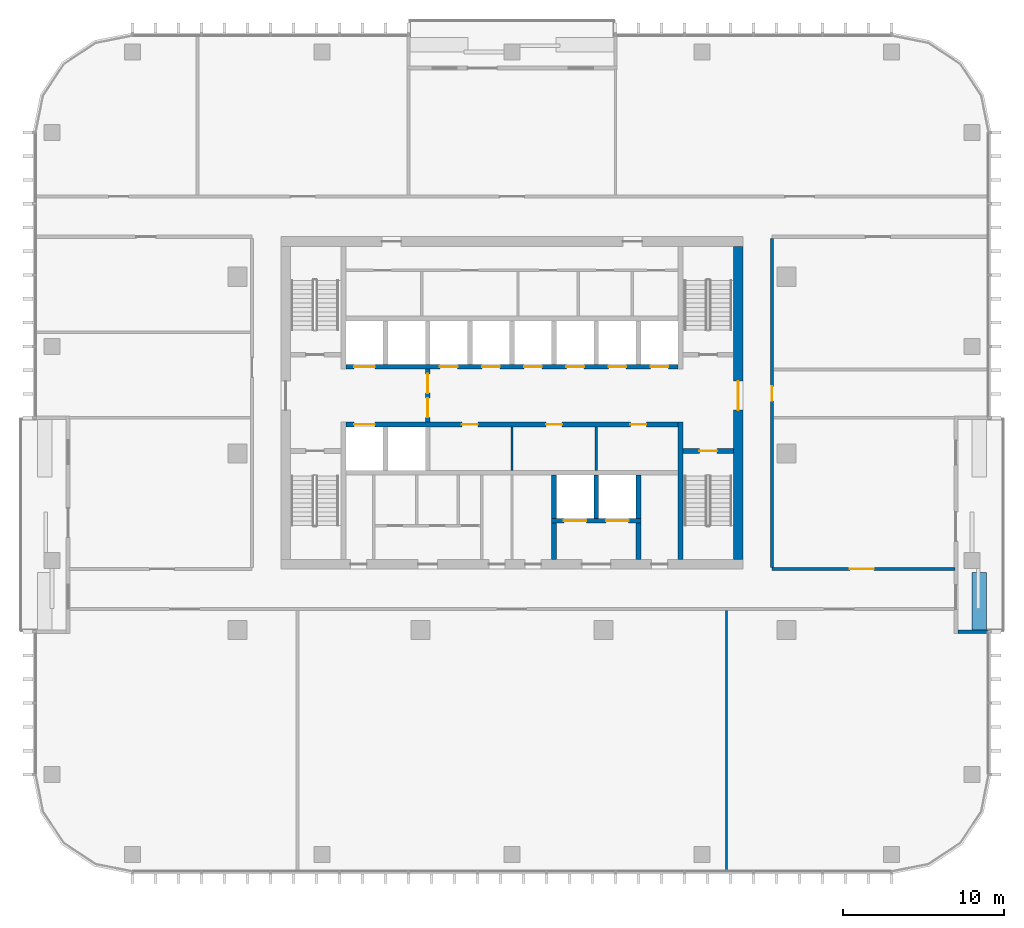
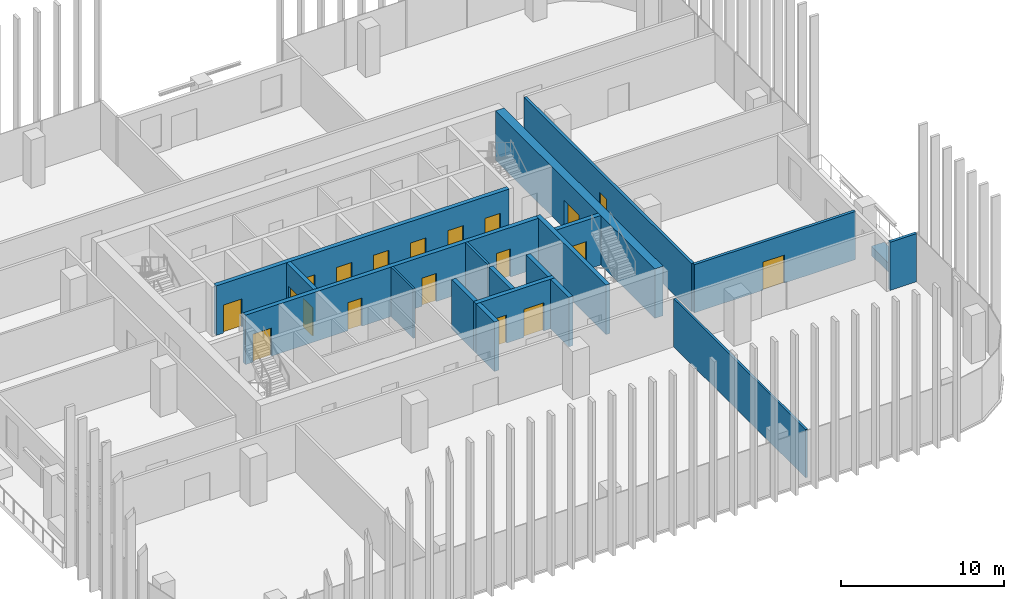
# One storey, part 8 of 16: 19 doors, 19 walls, 19 openings.
"""IFC4 building model written with IfcOpenShell, lengths in metres."""

from ifc_helpers import new_model, si_unit, direction, frame, frame_2d, origin, place, context, subcontext, project, spatial, rectangle, extrude, material, layer, layer_set, type_object, element, fill, save


model = new_model("IFC4")

# Units and contexts
model_context = context("Model", 3, precision=1e-05, world=origin(), true_north=direction((0.0, 1.0)))
body_context = subcontext(model_context, "Body", "Model", "MODEL_VIEW")
ifc_project = project(units=[si_unit("LENGTHUNIT", "METRE"), si_unit("AREAUNIT", "SQUARE_METRE"), si_unit("VOLUMEUNIT", "CUBIC_METRE"), si_unit("PLANEANGLEUNIT", "RADIAN"), si_unit("MASSUNIT", "GRAM", prefix="KILO")], contexts=[model_context])

# Site, building, storey
site_placement = place(None, origin())
site = spatial("IfcSite", under=ifc_project, at=site_placement, CompositionType="ELEMENT")
building_placement = place(site_placement, origin())
building = spatial("IfcBuilding", under=site, at=building_placement, Name="Mopane Tessera Tower", CompositionType="ELEMENT")
storey_placement = place(building_placement, frame((0.0, 0.0, 267.39990234375)))
storey = spatial("IfcBuildingStorey", under=building, at=storey_placement, Name="L57", CompositionType="ELEMENT", Elevation=267.39990234375)

# Walls
ifc_material_1 = material(Name="Fire-rated gypsum board partition")
ifc_layer_1 = layer(ifc_material_1, 0.14990234375)
ifc_layer_set_1 = layer_set([ifc_layer_1], Name="Fire-rated gypsum board partition")
wall_type_1 = type_object("IfcWallType", Name="Core room partition 150 mm", PredefinedType="PARTITIONING", material=ifc_layer_set_1)
for number, where, z_axis, x_axis, name in (
    (1, (0.0, -1.050048828125, 0.0), (0.0, 0.0, 1.0), (0.0, 1.0, 0.0), "L57 Room partition"),
    (2, (5.25, -1.050048828125, 0.0), (0.0, 0.0, 1.0), (0.0, 1.0, 0.0), "L57 Room partition"),
):
    element("IfcWall", number, at=place(storey_placement, frame(where, z_axis=z_axis, x_axis=x_axis)), inside=storey, type_object=wall_type_1, Name=name, PredefinedType="PARTITIONING", context=body_context, shape_type="SweptSolid", body=[
        extrude(rectangle(XDim=2.699951171875, YDim=0.14990234375, at=frame_2d((1.35009765625, 0.0))), origin(), (0.0, 0.0, 1.0), 3.7001953125),
    ])

# Wall, opening, door
ifc_material_2 = material(Name="Concrete C70/85", Category="concrete")
ifc_layer_2 = layer(ifc_material_2, 0.60009765625)
ifc_layer_set_2 = layer_set([ifc_layer_2], Name="Concrete C70/85")
wall_type_2 = type_object("IfcWallType", Name="Core shear wall 600 mm", PredefinedType="SHEAR", material=ifc_layer_set_2)
wall_1_placement = place(storey_placement, frame((14.10009765625, -6.60009765625, 0.0), z_axis=(0.0, 0.0, 1.0), x_axis=(0.0, 1.0, 0.0)))
wall_1 = element("IfcWall", 3, at=wall_1_placement, inside=storey, type_object=wall_type_2, Name="L57 Core wall east", PredefinedType="SHEAR", context=body_context, shape_type="SweptSolid", body=[
    extrude(rectangle(XDim=19.5, YDim=0.60009765625, at=frame_2d((9.75, 0.0))), origin(), (0.0, 0.0, 1.0), 3.7001953125),
])
opening_1_placement = place(wall_1_placement, frame((9.300048828125, 0.0, 0.0)))
opening_1 = element("IfcOpeningElement", 4, at=opening_1_placement, cuts=wall_1, Name="Opening SD2", PredefinedType="OPENING", context=body_context, shape_type="SweptSolid", body=[
    extrude(rectangle(XDim=1.800048828125, YDim=2.10009765625, at=frame_2d((0.89990234375, 1.050048828125))), frame((0.0, 0.31201171875, 0.0), z_axis=(0.0, -1.0, 0.0), x_axis=(1.0, 0.0, 0.0)), (0.0, 0.0, 1.0), 0.6240234375),
])
ifc_material_3 = material(Name="Steel fire door", Category="steel")
door_type_1 = type_object("IfcDoorType", Name="Core entrance double door 1800 x 2100", OperationType="DOUBLE_DOOR_SINGLE_SWING", PredefinedType="DOOR", material=ifc_material_3)
door_1_placement = place(opening_1_placement, origin())
door_1 = element("IfcDoor", 5, at=door_1_placement, inside=storey, type_object=door_type_1, Name="L57 Core entrance door east", OperationType="DOUBLE_DOOR_SINGLE_SWING", OverallHeight=2.10009765625, OverallWidth=1.800048828125, PredefinedType="DOOR", context=body_context, shape_type="SweptSolid", body=[
    extrude(rectangle(XDim=1.800048828125, YDim=2.10009765625, at=frame_2d((0.89990234375, 1.050048828125))), frame((0.0, 0.02490234375, 0.0), z_axis=(0.0, -1.0, 0.0), x_axis=(1.0, 0.0, 0.0)), (0.0, 0.0, 1.0), 0.050048828125),
])
fill(opening_1, door_1)

# Wall
ifc_material_4 = material(Name="Concrete C60/75", Category="concrete")
ifc_layer_3 = layer(ifc_material_4, 0.300048828125)
ifc_layer_set_3 = layer_set([ifc_layer_3], Name="Concrete C60/75")
wall_type_3 = type_object("IfcWallType", Name="Core spine wall 300 mm", PredefinedType="SHEAR", material=ifc_layer_set_3)
wall_2_placement = place(storey_placement, frame((10.5, -6.60009765625, 0.0), z_axis=(0.0, 0.0, 1.0), x_axis=(0.0, 1.0, 0.0)))
element("IfcWall", 6, at=wall_2_placement, inside=storey, type_object=wall_type_3, Name="L57 Core spine wall", PredefinedType="SHEAR", context=body_context, shape_type="SweptSolid", body=[
    extrude(rectangle(XDim=8.550048828125, YDim=0.300048828125, at=frame_2d((4.27490234375, 0.0))), origin(), (0.0, 0.0, 1.0), 3.7001953125),
])

# Wall, opening, door
ifc_material_5 = material(Name="Gypsum board on steel studs, two layers each face, mineral wool infill", Category="steel")
ifc_layer_4 = layer(ifc_material_5, 0.199951171875)
ifc_layer_set_4 = layer_set([ifc_layer_4], Name="Gypsum board on steel studs, two layers each face, mineral wool infill")
wall_type_4 = type_object("IfcWallType", Name="Gypsum board corridor wall 200, rated EI 60", PredefinedType="PARTITIONING", material=ifc_layer_set_4)
wall_3_placement = place(storey_placement, frame((16.199951171875, -7.199951171875, 0.0), z_axis=(0.0, 0.0, 1.0), x_axis=(1.0, 0.0, 0.0)))
wall_3 = element("IfcWall", 7, at=wall_3_placement, inside=storey, type_object=wall_type_4, Name="Partition L57:002", PredefinedType="PARTITIONING", context=body_context, shape_type="SweptSolid", body=[
    extrude(rectangle(XDim=11.400146484375, YDim=0.199951171875, at=frame_2d((5.7001953125, 0.0))), origin(), (0.0, 0.0, 1.0), 3.60009765625),
])
opening_2_placement = place(wall_3_placement, frame((4.85009765625, 0.0, 0.0)))
opening_2 = element("IfcOpeningElement", 8, at=opening_2_placement, cuts=wall_3, Name="Opening L57-05", PredefinedType="OPENING", context=body_context, shape_type="SweptSolid", body=[
    extrude(rectangle(XDim=1.5, YDim=2.10009765625, at=frame_2d((0.75, 1.050048828125))), frame((0.0, 0.112060546875, 0.0), z_axis=(0.0, -1.0, 0.0), x_axis=(1.0, 0.0, 0.0)), (0.0, 0.0, 1.0), 0.223876953125),
])
ifc_material_6 = material(Name="Timber veneered steel-framed fire door", Category="steel")
door_type_2 = type_object("IfcDoorType", Name="Fire door pair FD60 1500 x 2100", OperationType="DOUBLE_DOOR_SINGLE_SWING", PredefinedType="DOOR", material=ifc_material_6)
door_2_placement = place(opening_2_placement, origin())
door_2 = element("IfcDoor", 9, at=door_2_placement, inside=storey, type_object=door_type_2, Name="Door L57-05", ObjectType="D17A", OperationType="DOUBLE_DOOR_SINGLE_SWING", OverallHeight=2.10009765625, OverallWidth=1.5, PredefinedType="DOOR", context=body_context, shape_type="SweptSolid", body=[
    extrude(rectangle(XDim=1.5, YDim=2.10009765625, at=frame_2d((0.75, 1.050048828125))), frame((0.0, 0.02490234375, 0.0), z_axis=(0.0, -1.0, 0.0), x_axis=(1.0, 0.0, 0.0)), (0.0, 0.0, 1.0), 0.050048828125),
])
fill(opening_2, door_2)

wall_4_placement = place(storey_placement, frame((16.199951171875, -7.10009765625, 0.0), z_axis=(0.0, 0.0, 1.0), x_axis=(0.0, 1.0, 0.0)))
wall_4 = element("IfcWall", 10, at=wall_4_placement, inside=storey, type_object=wall_type_4, Name="Partition L57:016", PredefinedType="PARTITIONING", context=body_context, shape_type="SweptSolid", body=[
    extrude(rectangle(XDim=20.5, YDim=0.199951171875, at=frame_2d((10.25, 0.0))), origin(), (0.0, 0.0, 1.0), 3.60009765625),
])
opening_3_placement = place(wall_4_placement, frame((10.3701171875, 0.0, 0.0)))
opening_3 = element("IfcOpeningElement", 11, at=opening_3_placement, cuts=wall_4, Name="Opening L57-13", PredefinedType="OPENING", context=body_context, shape_type="SweptSolid", body=[
    extrude(rectangle(XDim=0.89990234375, YDim=2.10009765625, at=frame_2d((0.449951171875, 1.050048828125))), frame((0.0, 0.112060546875, 0.0), z_axis=(0.0, -1.0, 0.0), x_axis=(1.0, 0.0, 0.0)), (0.0, 0.0, 1.0), 0.223876953125),
])
ifc_material_7 = material(Name="Timber veneered steel-framed fire door", Category="steel")
door_type_3 = type_object("IfcDoorType", Name="Fire door FD60 900 x 2100", OperationType="SINGLE_SWING_LEFT", PredefinedType="DOOR", material=ifc_material_7)
door_3_placement = place(opening_3_placement, origin())
door_3 = element("IfcDoor", 12, at=door_3_placement, inside=storey, type_object=door_type_3, Name="Door L57-13", ObjectType="D10A", OperationType="SINGLE_SWING_LEFT", OverallHeight=2.10009765625, OverallWidth=0.89990234375, PredefinedType="DOOR", context=body_context, shape_type="SweptSolid", body=[
    extrude(rectangle(XDim=0.89990234375, YDim=2.10009765625, at=frame_2d((0.449951171875, 1.050048828125))), frame((0.0, 0.02490234375, 0.0), z_axis=(0.0, -1.0, 0.0), x_axis=(1.0, 0.0, 0.0)), (0.0, 0.0, 1.0), 0.050048828125),
])
fill(opening_3, door_3)

# Wall
ifc_material_8 = material(Name="Gypsum board on steel studs, mineral wool infill", Category="steel")
ifc_layer_5 = layer(ifc_material_8, 0.14990234375)
ifc_layer_set_5 = layer_set([ifc_layer_5], Name="Gypsum board on steel studs, mineral wool infill")
wall_type_5 = type_object("IfcWallType", Name="Gypsum board partition 150, rated EI 60", PredefinedType="PARTITIONING", material=ifc_layer_set_5)
wall_5_placement = place(storey_placement, frame((13.364990234375, -25.949951171875, 0.0), z_axis=(0.0, 0.0, 1.0), x_axis=(0.0, 1.0, 0.0)))
element("IfcWall", 13, at=wall_5_placement, inside=storey, type_object=wall_type_5, Name="Partition L57:015", PredefinedType="PARTITIONING", context=body_context, shape_type="SweptSolid", body=[
    extrude(rectangle(XDim=16.14990234375, YDim=0.14990234375, at=frame_2d((8.074951171875, 0.0))), origin(), (0.0, 0.0, 1.0), 3.60009765625),
])

# Wall, opening, door
ifc_material_9 = material(Name="Concrete C50/60", Category="concrete")
ifc_layer_6 = layer(ifc_material_9, 0.300048828125)
ifc_layer_set_6 = layer_set([ifc_layer_6], Name="Concrete C50/60")
wall_type_6 = type_object("IfcWallType", Name="Lift and stair shaft wall 300 mm", PredefinedType="SOLIDWALL", material=ifc_layer_set_6)
wall_6_placement = place(storey_placement, frame((10.64990234375, 0.14990234375, 0.0), z_axis=(0.0, 0.0, 1.0), x_axis=(1.0, 0.0, 0.0)))
wall_6 = element("IfcWall", 14, at=wall_6_placement, inside=storey, type_object=wall_type_6, Name="L57 Stair enclosure wall", PredefinedType="SOLIDWALL", context=body_context, shape_type="SweptSolid", body=[
    extrude(rectangle(XDim=3.150146484375, YDim=0.300048828125, at=frame_2d((1.5751953125, 0.0))), origin(), (0.0, 0.0, 1.0), 3.7001953125),
])
opening_4_placement = place(wall_6_placement, frame((1.02490234375, 0.0, 0.0)))
opening_4 = element("IfcOpeningElement", 15, at=opening_4_placement, cuts=wall_6, Name="Opening SD1", PredefinedType="OPENING", context=body_context, shape_type="SweptSolid", body=[
    extrude(rectangle(XDim=1.10009765625, YDim=2.10009765625, at=frame_2d((0.550048828125, 1.050048828125))), frame((0.0, 0.162109375, 0.0), z_axis=(0.0, -1.0, 0.0), x_axis=(1.0, 0.0, 0.0)), (0.0, 0.0, 1.0), 0.323974609375),
])
ifc_material_10 = material(Name="Steel fire door", Category="steel")
door_type_4 = type_object("IfcDoorType", Name="Stair fire door 1100 x 2100", OperationType="SINGLE_SWING_LEFT", PredefinedType="DOOR", material=ifc_material_10)
door_4_placement = place(opening_4_placement, origin())
door_4 = element("IfcDoor", 16, at=door_4_placement, inside=storey, type_object=door_type_4, Name="L57 Stair door ST3", OperationType="SINGLE_SWING_RIGHT", OverallHeight=2.10009765625, OverallWidth=1.10009765625, PredefinedType="DOOR", context=body_context, shape_type="SweptSolid", body=[
    extrude(rectangle(XDim=1.10009765625, YDim=2.10009765625, at=frame_2d((0.550048828125, 1.050048828125))), frame((0.0, 0.02490234375, 0.0), z_axis=(0.0, -1.0, 0.0), x_axis=(1.0, 0.0, 0.0)), (0.0, 0.0, 1.0), 0.050048828125),
])
fill(opening_4, door_4)

# Wall, openings, doors
wall_7_placement = place(storey_placement, frame((-10.35009765625, 1.800048828125, 0.0), z_axis=(0.0, 0.0, 1.0), x_axis=(1.0, 0.0, 0.0)))
wall_7 = element("IfcWall", 17, at=wall_7_placement, inside=storey, type_object=wall_type_6, Name="L57 Lift shaft front wall", PredefinedType="SOLIDWALL", context=body_context, shape_type="SweptSolid", body=[
    extrude(rectangle(XDim=20.7001953125, YDim=0.300048828125, at=frame_2d((10.35009765625, 0.0))), origin(), (0.0, 0.0, 1.0), 3.7001953125),
])
opening_5_placement = place(wall_7_placement, frame((0.512451171875, 0.0, 0.0)))
opening_5 = element("IfcOpeningElement", 18, at=opening_5_placement, cuts=wall_7, Name="Opening LD2", PredefinedType="OPENING", context=body_context, shape_type="SweptSolid", body=[
    extrude(rectangle(XDim=1.300048828125, YDim=2.10009765625, at=frame_2d((0.64990234375, 1.050048828125))), frame((0.0, 0.162109375, 0.0), z_axis=(0.0, -1.0, 0.0), x_axis=(1.0, 0.0, 0.0)), (0.0, 0.0, 1.0), 0.323974609375),
])
opening_6_placement = place(wall_7_placement, frame((7.22509765625, 0.0, 0.0)))
opening_6 = element("IfcOpeningElement", 19, at=opening_6_placement, cuts=wall_7, Name="Opening RD1", PredefinedType="OPENING", context=body_context, shape_type="SweptSolid", body=[
    extrude(rectangle(XDim=1.0, YDim=2.10009765625, at=frame_2d((0.5, 1.050048828125))), frame((0.0, 0.162109375, 0.0), z_axis=(0.0, -1.0, 0.0), x_axis=(1.0, 0.0, 0.0)), (0.0, 0.0, 1.0), 0.323974609375),
])
opening_7_placement = place(wall_7_placement, frame((12.47509765625, 0.0, 0.0)))
opening_7 = element("IfcOpeningElement", 20, at=opening_7_placement, cuts=wall_7, Name="Opening RD1", PredefinedType="OPENING", context=body_context, shape_type="SweptSolid", body=[
    extrude(rectangle(XDim=1.0, YDim=2.10009765625, at=frame_2d((0.5, 1.050048828125))), frame((0.0, 0.162109375, 0.0), z_axis=(0.0, -1.0, 0.0), x_axis=(1.0, 0.0, 0.0)), (0.0, 0.0, 1.0), 0.323974609375),
])
opening_8_placement = place(wall_7_placement, frame((17.72509765625, 0.0, 0.0)))
opening_8 = element("IfcOpeningElement", 21, at=opening_8_placement, cuts=wall_7, Name="Opening RD1", PredefinedType="OPENING", context=body_context, shape_type="SweptSolid", body=[
    extrude(rectangle(XDim=1.0, YDim=2.10009765625, at=frame_2d((0.5, 1.050048828125))), frame((0.0, 0.162109375, 0.0), z_axis=(0.0, -1.0, 0.0), x_axis=(1.0, 0.0, 0.0)), (0.0, 0.0, 1.0), 0.323974609375),
])
ifc_material_11 = material(Name="Timber door", Category="wood")
door_type_5 = type_object("IfcDoorType", Name="Core room door 1000 x 2100", OperationType="SINGLE_SWING_LEFT", PredefinedType="DOOR", material=ifc_material_11)
door_5_placement = place(opening_6_placement, origin())
door_5 = element("IfcDoor", 22, at=door_5_placement, inside=storey, type_object=door_type_5, Name="L57 Room door", OperationType="SINGLE_SWING_LEFT", OverallHeight=2.10009765625, OverallWidth=1.0, PredefinedType="DOOR", context=body_context, shape_type="SweptSolid", body=[
    extrude(rectangle(XDim=1.0, YDim=2.10009765625, at=frame_2d((0.5, 1.050048828125))), frame((0.0, 0.02490234375, 0.0), z_axis=(0.0, -1.0, 0.0), x_axis=(1.0, 0.0, 0.0)), (0.0, 0.0, 1.0), 0.050048828125),
])
fill(opening_6, door_5)
door_6_placement = place(opening_7_placement, origin())
door_6 = element("IfcDoor", 23, at=door_6_placement, inside=storey, type_object=door_type_5, Name="L57 Room door", OperationType="SINGLE_SWING_LEFT", OverallHeight=2.10009765625, OverallWidth=1.0, PredefinedType="DOOR", context=body_context, shape_type="SweptSolid", body=[
    extrude(rectangle(XDim=1.0, YDim=2.10009765625, at=frame_2d((0.5, 1.050048828125))), frame((0.0, 0.02490234375, 0.0), z_axis=(0.0, -1.0, 0.0), x_axis=(1.0, 0.0, 0.0)), (0.0, 0.0, 1.0), 0.050048828125),
])
fill(opening_7, door_6)
door_7_placement = place(opening_8_placement, origin())
door_7 = element("IfcDoor", 24, at=door_7_placement, inside=storey, type_object=door_type_5, Name="L57 Room door", OperationType="SINGLE_SWING_LEFT", OverallHeight=2.10009765625, OverallWidth=1.0, PredefinedType="DOOR", context=body_context, shape_type="SweptSolid", body=[
    extrude(rectangle(XDim=1.0, YDim=2.10009765625, at=frame_2d((0.5, 1.050048828125))), frame((0.0, 0.02490234375, 0.0), z_axis=(0.0, -1.0, 0.0), x_axis=(1.0, 0.0, 0.0)), (0.0, 0.0, 1.0), 0.050048828125),
])
fill(opening_8, door_7)
ifc_material_12 = material(Name="Stainless steel sliding door", Category="steel")
door_type_6 = type_object("IfcDoorType", Name="Fire-fighting lift landing door 1300 x 2100", OperationType="DOUBLE_DOOR_SLIDING", PredefinedType="DOOR", material=ifc_material_12)
door_8_placement = place(opening_5_placement, origin())
door_8 = element("IfcDoor", 25, at=door_8_placement, inside=storey, type_object=door_type_6, Name="L57 Lift landing door FF1", OperationType="DOUBLE_DOOR_SLIDING", OverallHeight=2.10009765625, OverallWidth=1.300048828125, PredefinedType="DOOR", context=body_context, shape_type="SweptSolid", body=[
    extrude(rectangle(XDim=1.300048828125, YDim=2.10009765625, at=frame_2d((0.64990234375, 1.050048828125))), frame((0.0, 0.02490234375, 0.0), z_axis=(0.0, -1.0, 0.0), x_axis=(1.0, 0.0, 0.0)), (0.0, 0.0, 1.0), 0.050048828125),
])
fill(opening_5, door_8)

wall_8_placement = place(storey_placement, frame((-10.35009765625, 5.39990234375, 0.0), z_axis=(0.0, 0.0, 1.0), x_axis=(1.0, 0.0, 0.0)))
wall_8 = element("IfcWall", 26, at=wall_8_placement, inside=storey, type_object=wall_type_6, Name="L57 Lift shaft front wall", PredefinedType="SOLIDWALL", context=body_context, shape_type="SweptSolid", body=[
    extrude(rectangle(XDim=20.7001953125, YDim=0.300048828125, at=frame_2d((10.35009765625, 0.0))), origin(), (0.0, 0.0, 1.0), 3.7001953125),
])
opening_9_placement = place(wall_8_placement, frame((0.512451171875, 0.0, 0.0)))
opening_9 = element("IfcOpeningElement", 27, at=opening_9_placement, cuts=wall_8, Name="Opening LD2", PredefinedType="OPENING", context=body_context, shape_type="SweptSolid", body=[
    extrude(rectangle(XDim=1.300048828125, YDim=2.10009765625, at=frame_2d((0.64990234375, 1.050048828125))), frame((0.0, 0.162109375, 0.0), z_axis=(0.0, -1.0, 0.0), x_axis=(1.0, 0.0, 0.0)), (0.0, 0.0, 1.0), 0.323974609375),
])
opening_10_placement = place(wall_8_placement, frame((5.862548828125, 0.0, 0.0)))
opening_10 = element("IfcOpeningElement", 28, at=opening_10_placement, cuts=wall_8, Name="Opening LD", PredefinedType="OPENING", context=body_context, shape_type="SweptSolid", body=[
    extrude(rectangle(XDim=1.10009765625, YDim=2.10009765625, at=frame_2d((0.550048828125, 1.050048828125))), frame((0.0, 0.162109375, 0.0), z_axis=(0.0, -1.0, 0.0), x_axis=(1.0, 0.0, 0.0)), (0.0, 0.0, 1.0), 0.323974609375),
])
opening_11_placement = place(wall_8_placement, frame((8.487548828125, 0.0, 0.0)))
opening_11 = element("IfcOpeningElement", 29, at=opening_11_placement, cuts=wall_8, Name="Opening LD", PredefinedType="OPENING", context=body_context, shape_type="SweptSolid", body=[
    extrude(rectangle(XDim=1.10009765625, YDim=2.10009765625, at=frame_2d((0.550048828125, 1.050048828125))), frame((0.0, 0.162109375, 0.0), z_axis=(0.0, -1.0, 0.0), x_axis=(1.0, 0.0, 0.0)), (0.0, 0.0, 1.0), 0.323974609375),
])
opening_12_placement = place(wall_8_placement, frame((11.112548828125, 0.0, 0.0)))
opening_12 = element("IfcOpeningElement", 30, at=opening_12_placement, cuts=wall_8, Name="Opening LD", PredefinedType="OPENING", context=body_context, shape_type="SweptSolid", body=[
    extrude(rectangle(XDim=1.10009765625, YDim=2.10009765625, at=frame_2d((0.550048828125, 1.050048828125))), frame((0.0, 0.162109375, 0.0), z_axis=(0.0, -1.0, 0.0), x_axis=(1.0, 0.0, 0.0)), (0.0, 0.0, 1.0), 0.323974609375),
])
opening_13_placement = place(wall_8_placement, frame((13.737548828125, 0.0, 0.0)))
opening_13 = element("IfcOpeningElement", 31, at=opening_13_placement, cuts=wall_8, Name="Opening LD", PredefinedType="OPENING", context=body_context, shape_type="SweptSolid", body=[
    extrude(rectangle(XDim=1.10009765625, YDim=2.10009765625, at=frame_2d((0.550048828125, 1.050048828125))), frame((0.0, 0.162109375, 0.0), z_axis=(0.0, -1.0, 0.0), x_axis=(1.0, 0.0, 0.0)), (0.0, 0.0, 1.0), 0.323974609375),
])
opening_14_placement = place(wall_8_placement, frame((16.362548828125, 0.0, 0.0)))
opening_14 = element("IfcOpeningElement", 32, at=opening_14_placement, cuts=wall_8, Name="Opening LD", PredefinedType="OPENING", context=body_context, shape_type="SweptSolid", body=[
    extrude(rectangle(XDim=1.10009765625, YDim=2.10009765625, at=frame_2d((0.550048828125, 1.050048828125))), frame((0.0, 0.162109375, 0.0), z_axis=(0.0, -1.0, 0.0), x_axis=(1.0, 0.0, 0.0)), (0.0, 0.0, 1.0), 0.323974609375),
])
opening_15_placement = place(wall_8_placement, frame((18.987548828125, 0.0, 0.0)))
opening_15 = element("IfcOpeningElement", 33, at=opening_15_placement, cuts=wall_8, Name="Opening LD", PredefinedType="OPENING", context=body_context, shape_type="SweptSolid", body=[
    extrude(rectangle(XDim=1.10009765625, YDim=2.10009765625, at=frame_2d((0.550048828125, 1.050048828125))), frame((0.0, 0.162109375, 0.0), z_axis=(0.0, -1.0, 0.0), x_axis=(1.0, 0.0, 0.0)), (0.0, 0.0, 1.0), 0.323974609375),
])
door_9_placement = place(opening_9_placement, origin())
door_9 = element("IfcDoor", 34, at=door_9_placement, inside=storey, type_object=door_type_6, Name="L57 Lift landing door FF2", OperationType="DOUBLE_DOOR_SLIDING", OverallHeight=2.10009765625, OverallWidth=1.300048828125, PredefinedType="DOOR", context=body_context, shape_type="SweptSolid", body=[
    extrude(rectangle(XDim=1.300048828125, YDim=2.10009765625, at=frame_2d((0.64990234375, 1.050048828125))), frame((0.0, 0.02490234375, 0.0), z_axis=(0.0, -1.0, 0.0), x_axis=(1.0, 0.0, 0.0)), (0.0, 0.0, 1.0), 0.050048828125),
])
fill(opening_9, door_9)
ifc_material_13 = material(Name="Stainless steel sliding door", Category="steel")
door_type_7 = type_object("IfcDoorType", Name="Lift landing door 1100 x 2100", OperationType="DOUBLE_DOOR_SLIDING", PredefinedType="DOOR", material=ifc_material_13)
door_10_placement = place(opening_10_placement, origin())
door_10 = element("IfcDoor", 35, at=door_10_placement, inside=storey, type_object=door_type_7, Name="L57 Lift landing door HR1", OperationType="DOUBLE_DOOR_SLIDING", OverallHeight=2.10009765625, OverallWidth=1.10009765625, PredefinedType="DOOR", context=body_context, shape_type="SweptSolid", body=[
    extrude(rectangle(XDim=1.10009765625, YDim=2.10009765625, at=frame_2d((0.550048828125, 1.050048828125))), frame((0.0, 0.02490234375, 0.0), z_axis=(0.0, -1.0, 0.0), x_axis=(1.0, 0.0, 0.0)), (0.0, 0.0, 1.0), 0.050048828125),
])
fill(opening_10, door_10)
door_11_placement = place(opening_11_placement, origin())
door_11 = element("IfcDoor", 36, at=door_11_placement, inside=storey, type_object=door_type_7, Name="L57 Lift landing door HR2", OperationType="DOUBLE_DOOR_SLIDING", OverallHeight=2.10009765625, OverallWidth=1.10009765625, PredefinedType="DOOR", context=body_context, shape_type="SweptSolid", body=[
    extrude(rectangle(XDim=1.10009765625, YDim=2.10009765625, at=frame_2d((0.550048828125, 1.050048828125))), frame((0.0, 0.02490234375, 0.0), z_axis=(0.0, -1.0, 0.0), x_axis=(1.0, 0.0, 0.0)), (0.0, 0.0, 1.0), 0.050048828125),
])
fill(opening_11, door_11)
door_12_placement = place(opening_12_placement, origin())
door_12 = element("IfcDoor", 37, at=door_12_placement, inside=storey, type_object=door_type_7, Name="L57 Lift landing door HR3", OperationType="DOUBLE_DOOR_SLIDING", OverallHeight=2.10009765625, OverallWidth=1.10009765625, PredefinedType="DOOR", context=body_context, shape_type="SweptSolid", body=[
    extrude(rectangle(XDim=1.10009765625, YDim=2.10009765625, at=frame_2d((0.550048828125, 1.050048828125))), frame((0.0, 0.02490234375, 0.0), z_axis=(0.0, -1.0, 0.0), x_axis=(1.0, 0.0, 0.0)), (0.0, 0.0, 1.0), 0.050048828125),
])
fill(opening_12, door_12)
door_13_placement = place(opening_13_placement, origin())
door_13 = element("IfcDoor", 38, at=door_13_placement, inside=storey, type_object=door_type_7, Name="L57 Lift landing door HR4", OperationType="DOUBLE_DOOR_SLIDING", OverallHeight=2.10009765625, OverallWidth=1.10009765625, PredefinedType="DOOR", context=body_context, shape_type="SweptSolid", body=[
    extrude(rectangle(XDim=1.10009765625, YDim=2.10009765625, at=frame_2d((0.550048828125, 1.050048828125))), frame((0.0, 0.02490234375, 0.0), z_axis=(0.0, -1.0, 0.0), x_axis=(1.0, 0.0, 0.0)), (0.0, 0.0, 1.0), 0.050048828125),
])
fill(opening_13, door_13)
door_14_placement = place(opening_14_placement, origin())
door_14 = element("IfcDoor", 39, at=door_14_placement, inside=storey, type_object=door_type_7, Name="L57 Lift landing door HR5", OperationType="DOUBLE_DOOR_SLIDING", OverallHeight=2.10009765625, OverallWidth=1.10009765625, PredefinedType="DOOR", context=body_context, shape_type="SweptSolid", body=[
    extrude(rectangle(XDim=1.10009765625, YDim=2.10009765625, at=frame_2d((0.550048828125, 1.050048828125))), frame((0.0, 0.02490234375, 0.0), z_axis=(0.0, -1.0, 0.0), x_axis=(1.0, 0.0, 0.0)), (0.0, 0.0, 1.0), 0.050048828125),
])
fill(opening_14, door_14)
door_15_placement = place(opening_15_placement, origin())
door_15 = element("IfcDoor", 40, at=door_15_placement, inside=storey, type_object=door_type_7, Name="L57 Lift landing door HR6", OperationType="DOUBLE_DOOR_SLIDING", OverallHeight=2.10009765625, OverallWidth=1.10009765625, PredefinedType="DOOR", context=body_context, shape_type="SweptSolid", body=[
    extrude(rectangle(XDim=1.10009765625, YDim=2.10009765625, at=frame_2d((0.550048828125, 1.050048828125))), frame((0.0, 0.02490234375, 0.0), z_axis=(0.0, -1.0, 0.0), x_axis=(1.0, 0.0, 0.0)), (0.0, 0.0, 1.0), 0.050048828125),
])
fill(opening_15, door_15)

wall_9_placement = place(storey_placement, frame((2.47509765625, -4.199951171875, 0.0), z_axis=(0.0, 0.0, 1.0), x_axis=(1.0, 0.0, 0.0)))
wall_9 = element("IfcWall", 41, at=wall_9_placement, inside=storey, type_object=wall_type_6, Name="L57 Lift shaft front wall", PredefinedType="SOLIDWALL", context=body_context, shape_type="SweptSolid", body=[
    extrude(rectangle(XDim=5.5498046875, YDim=0.300048828125, at=frame_2d((2.77490234375, 0.0))), origin(), (0.0, 0.0, 1.0), 3.7001953125),
])
opening_16_placement = place(wall_9_placement, frame((0.762451171875, 0.0, 0.0)))
opening_16 = element("IfcOpeningElement", 42, at=opening_16_placement, cuts=wall_9, Name="Opening LD3", PredefinedType="OPENING", context=body_context, shape_type="SweptSolid", body=[
    extrude(rectangle(XDim=1.39990234375, YDim=2.10009765625, at=frame_2d((0.699951171875, 1.050048828125))), frame((0.0, 0.162109375, 0.0), z_axis=(0.0, -1.0, 0.0), x_axis=(1.0, 0.0, 0.0)), (0.0, 0.0, 1.0), 0.323974609375),
])
opening_17_placement = place(wall_9_placement, frame((3.387451171875, 0.0, 0.0)))
opening_17 = element("IfcOpeningElement", 43, at=opening_17_placement, cuts=wall_9, Name="Opening LD3", PredefinedType="OPENING", context=body_context, shape_type="SweptSolid", body=[
    extrude(rectangle(XDim=1.39990234375, YDim=2.10009765625, at=frame_2d((0.699951171875, 1.050048828125))), frame((0.0, 0.162109375, 0.0), z_axis=(0.0, -1.0, 0.0), x_axis=(1.0, 0.0, 0.0)), (0.0, 0.0, 1.0), 0.323974609375),
])
ifc_material_14 = material(Name="Stainless steel sliding door", Category="steel")
door_type_8 = type_object("IfcDoorType", Name="Service lift landing door 1400 x 2100", OperationType="DOUBLE_DOOR_SLIDING", PredefinedType="DOOR", material=ifc_material_14)
door_16_placement = place(opening_16_placement, origin())
door_16 = element("IfcDoor", 44, at=door_16_placement, inside=storey, type_object=door_type_8, Name="L57 Lift landing door SV1", OperationType="DOUBLE_DOOR_SLIDING", OverallHeight=2.10009765625, OverallWidth=1.39990234375, PredefinedType="DOOR", context=body_context, shape_type="SweptSolid", body=[
    extrude(rectangle(XDim=1.39990234375, YDim=2.10009765625, at=frame_2d((0.699951171875, 1.050048828125))), frame((0.0, 0.02490234375, 0.0), z_axis=(0.0, -1.0, 0.0), x_axis=(1.0, 0.0, 0.0)), (0.0, 0.0, 1.0), 0.050048828125),
])
fill(opening_16, door_16)
door_17_placement = place(opening_17_placement, origin())
door_17 = element("IfcDoor", 45, at=door_17_placement, inside=storey, type_object=door_type_8, Name="L57 Lift landing door SV2", OperationType="DOUBLE_DOOR_SLIDING", OverallHeight=2.10009765625, OverallWidth=1.39990234375, PredefinedType="DOOR", context=body_context, shape_type="SweptSolid", body=[
    extrude(rectangle(XDim=1.39990234375, YDim=2.10009765625, at=frame_2d((0.699951171875, 1.050048828125))), frame((0.0, 0.02490234375, 0.0), z_axis=(0.0, -1.0, 0.0), x_axis=(1.0, 0.0, 0.0)), (0.0, 0.0, 1.0), 0.050048828125),
])
fill(opening_17, door_17)

# Walls
for number, where, z_axis, x_axis, name in (
    (46, (2.625, -4.050048828125, 0.0), (0.0, 0.0, 1.0), (0.0, 1.0, 0.0), "L57 Lift shaft wall"),
    (47, (5.25, -4.050048828125, 0.0), (0.0, 0.0, 1.0), (0.0, 1.0, 0.0), "L57 Lift shaft wall"),
    (48, (7.875, -4.050048828125, 0.0), (0.0, 0.0, 1.0), (0.0, 1.0, 0.0), "L57 Lift shaft wall"),
):
    element("IfcWall", number, at=place(storey_placement, frame(where, z_axis=z_axis, x_axis=x_axis)), inside=storey, type_object=wall_type_6, Name=name, PredefinedType="SOLIDWALL", context=body_context, shape_type="SweptSolid", body=[
        extrude(rectangle(XDim=2.699951171875, YDim=0.300048828125, at=frame_2d((1.35009765625, 0.0))), origin(), (0.0, 0.0, 1.0), 3.7001953125),
    ])

# Wall, openings, doors
ifc_material_15 = material(Name="Concrete C50/60", Category="concrete")
ifc_layer_7 = layer(ifc_material_15, 0.300048828125)
ifc_layer_set_7 = layer_set([ifc_layer_7], Name="Concrete C50/60")
wall_type_7 = type_object("IfcWallType", Name="Lobby and refuge room wall 300 mm", PredefinedType="SOLIDWALL", material=ifc_layer_set_7)
wall_10_placement = place(storey_placement, frame((-5.25, 1.949951171875, 0.0), z_axis=(0.0, 0.0, 1.0), x_axis=(0.0, 1.0, 0.0)))
wall_10 = element("IfcWall", 49, at=wall_10_placement, inside=storey, type_object=wall_type_7, Name="L57 Fire-fighting lobby wall", PredefinedType="SOLIDWALL", context=body_context, shape_type="SweptSolid", body=[
    extrude(rectangle(XDim=3.300048828125, YDim=0.300048828125, at=frame_2d((1.64990234375, 0.0))), origin(), (0.0, 0.0, 1.0), 3.7001953125),
])
opening_18_placement = place(wall_10_placement, frame((0.300048828125, 0.0, 0.0)))
opening_18 = element("IfcOpeningElement", 50, at=opening_18_placement, cuts=wall_10, Name="Opening SD3", PredefinedType="OPENING", context=body_context, shape_type="SweptSolid", body=[
    extrude(rectangle(XDim=1.199951171875, YDim=2.10009765625, at=frame_2d((0.60009765625, 1.050048828125))), frame((0.0, 0.162109375, 0.0), z_axis=(0.0, -1.0, 0.0), x_axis=(1.0, 0.0, 0.0)), (0.0, 0.0, 1.0), 0.323974609375),
])
opening_19_placement = place(wall_10_placement, frame((1.800048828125, 0.0, 0.0)))
opening_19 = element("IfcOpeningElement", 51, at=opening_19_placement, cuts=wall_10, Name="Opening SD3", PredefinedType="OPENING", context=body_context, shape_type="SweptSolid", body=[
    extrude(rectangle(XDim=1.199951171875, YDim=2.10009765625, at=frame_2d((0.60009765625, 1.050048828125))), frame((0.0, 0.162109375, 0.0), z_axis=(0.0, -1.0, 0.0), x_axis=(1.0, 0.0, 0.0)), (0.0, 0.0, 1.0), 0.323974609375),
])
ifc_material_16 = material(Name="Steel fire door", Category="steel")
door_type_9 = type_object("IfcDoorType", Name="Lobby fire door 1200 x 2100", OperationType="SINGLE_SWING_LEFT", PredefinedType="DOOR", material=ifc_material_16)
door_18_placement = place(opening_18_placement, origin())
door_18 = element("IfcDoor", 52, at=door_18_placement, inside=storey, type_object=door_type_9, Name="L57 Fire-fighting lobby door", OperationType="SINGLE_SWING_LEFT", OverallHeight=2.10009765625, OverallWidth=1.199951171875, PredefinedType="DOOR", context=body_context, shape_type="SweptSolid", body=[
    extrude(rectangle(XDim=1.199951171875, YDim=2.10009765625, at=frame_2d((0.60009765625, 1.050048828125))), frame((0.0, 0.02490234375, 0.0), z_axis=(0.0, -1.0, 0.0), x_axis=(1.0, 0.0, 0.0)), (0.0, 0.0, 1.0), 0.050048828125),
])
fill(opening_18, door_18)
door_19_placement = place(opening_19_placement, origin())
door_19 = element("IfcDoor", 53, at=door_19_placement, inside=storey, type_object=door_type_9, Name="L57 Fire-fighting lobby door", OperationType="SINGLE_SWING_RIGHT", OverallHeight=2.10009765625, OverallWidth=1.199951171875, PredefinedType="DOOR", context=body_context, shape_type="SweptSolid", body=[
    extrude(rectangle(XDim=1.199951171875, YDim=2.10009765625, at=frame_2d((0.60009765625, 1.050048828125))), frame((0.0, 0.02490234375, 0.0), z_axis=(0.0, -1.0, 0.0), x_axis=(1.0, 0.0, 0.0)), (0.0, 0.0, 1.0), 0.050048828125),
])
fill(opening_19, door_19)

# Walls
for number, where, z_axis, x_axis, name in (
    (54, (2.625, -6.60009765625, 0.0), (0.0, 0.0, 1.0), (0.0, 1.0, 0.0), "L57 Service lobby wall"),
    (55, (7.875, -6.60009765625, 0.0), (0.0, 0.0, 1.0), (0.0, 1.0, 0.0), "L57 Service lobby wall"),
):
    element("IfcWall", number, at=place(storey_placement, frame(where, z_axis=z_axis, x_axis=x_axis)), inside=storey, type_object=wall_type_7, Name=name, PredefinedType="SOLIDWALL", context=body_context, shape_type="SweptSolid", body=[
        extrude(rectangle(XDim=2.25, YDim=0.300048828125, at=frame_2d((1.125, 0.0))), origin(), (0.0, 0.0, 1.0), 3.7001953125),
    ])
ifc_material_17 = material(Name="Reinforced concrete C32/40 with waterproofing", Category="concrete")
ifc_layer_8 = layer(ifc_material_17, 0.89990234375)
ifc_layer_set_8 = layer_set([ifc_layer_8], Name="Reinforced concrete C32/40 with waterproofing")
wall_type_8 = type_object("IfcWallType", Name="Planter trough 3600 x 900", PredefinedType="STANDARD", material=ifc_layer_set_8)
wall_11_placement = place(storey_placement, frame((29.10009765625, -11.01123046875, 0.0), z_axis=(0.0, 0.0, 1.0), x_axis=(0.0, 1.0, 0.0)))
element("IfcWall", 56, at=wall_11_placement, inside=storey, type_object=wall_type_8, Name="e:nw:L57:N1:pl0", PredefinedType="STANDARD", context=body_context, shape_type="SweptSolid", body=[
    extrude(rectangle(XDim=3.60009765625, YDim=0.89990234375, at=frame_2d((1.800048828125, 0.0))), origin(), (0.0, 0.0, 1.0), 0.7001953125),
])
ifc_material_18 = material(Name="Blockwork with glazed tile facing", Category="masonry")
ifc_layer_9 = layer(ifc_material_18, 0.199951171875)
ifc_layer_set_9 = layer_set([ifc_layer_9], Name="Blockwork with glazed tile facing")
wall_type_9 = type_object("IfcWallType", Name="Terrace cheek wall 200", PredefinedType="STANDARD", material=ifc_layer_set_9)
wall_12_placement = place(storey_placement, frame((29.64990234375, -11.111083984375, 0.0), z_axis=(0.0, 0.0, 1.0), x_axis=(-1.0, 0.0, 0.0)))
element("IfcWall", 57, at=wall_12_placement, inside=storey, type_object=wall_type_9, Name="e:nw:L57:N1:cheeka", PredefinedType="STANDARD", context=body_context, shape_type="SweptSolid", body=[
    extrude(rectangle(XDim=1.875, YDim=0.199951171875, at=frame_2d((0.9375, 0.0))), origin(), (0.0, 0.0, 1.0), 3.60009765625),
])

save(model, "model.ifc")
